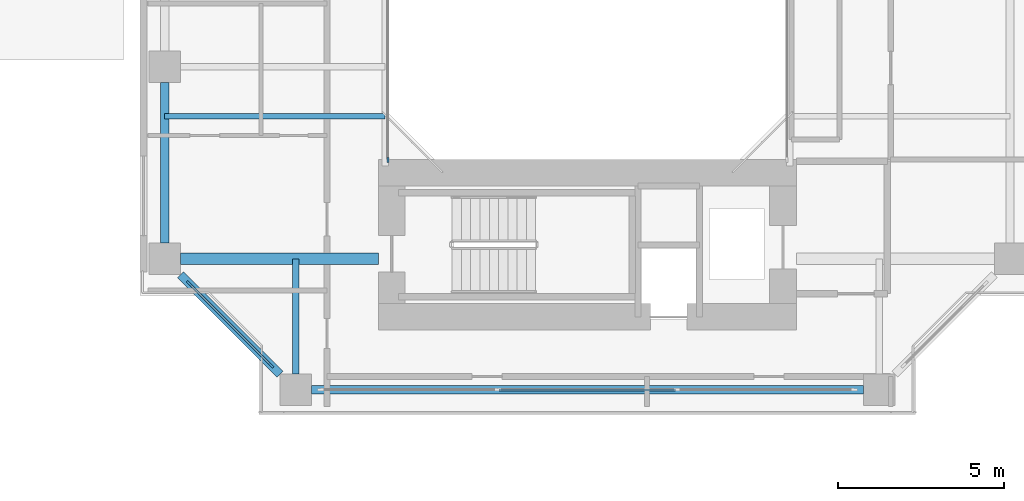
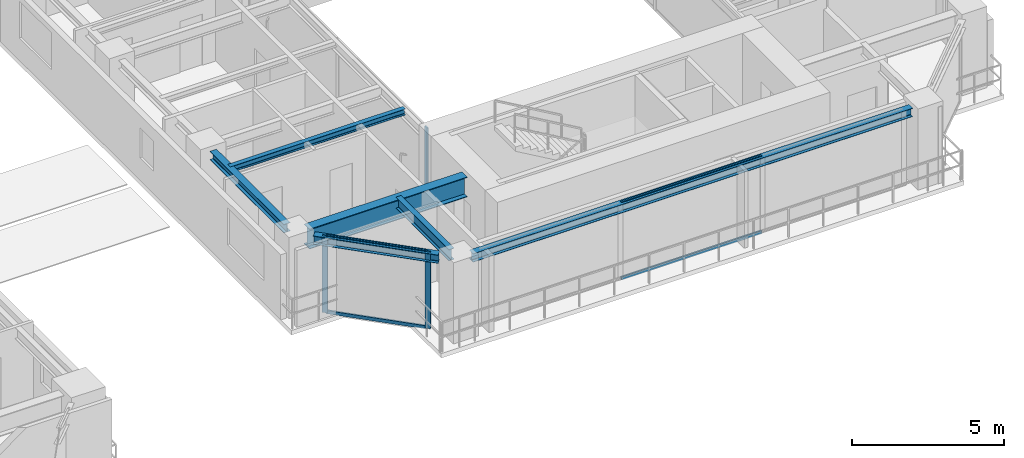
# One storey, part 6 of 23: 7 members, 6 beams, 3 elements without a shape of their own.
"""IFC4 building model written with IfcOpenShell, lengths in metres."""

import ifcopenshell
import ifcopenshell.guid

model = None  # the IFC model being written
_history = None  # IfcOwnerHistory: only IFC2X3 demands one
_inside = {}  # id of a spatial element -> (the spatial element, [elements in it])
_under = {}  # id of a project, library or spatial element -> (it, [spatial elements below it])
_declared = {}  # id of a project -> (the project, [libraries it declares])
_typed = {}  # id of a type object -> (the type object, [elements of that type])
_made_of = {}  # id of a material, layer set ... -> (it, [elements and type objects made of it])


def new_model(schema):
    """Start an empty IFC model of exactly this schema.

    Asked for "IFC4X3", IfcOpenShell would pick the latest addendum, in which some entities
    have other attributes; the version numbers below select the first issue.
    IFC2X3 requires an IfcOwnerHistory on every rooted entity: one is made here for all.
    """
    global model, _history
    if schema == "IFC4X3":
        model = ifcopenshell.file(schema_version=(4, 3, 0, 0))
    else:
        model = ifcopenshell.file(schema=schema)
    _inside.clear()
    _under.clear()
    _declared.clear()
    _typed.clear()
    _made_of.clear()
    _history = None
    if model.schema == "IFC2X3":
        org = make("IfcOrganization", Name="unknown")
        user = make(
            "IfcPersonAndOrganization",
            ThePerson=make("IfcPerson", FamilyName="unknown"),
            TheOrganization=org,
        )
        app = make(
            "IfcApplication",
            ApplicationDeveloper=org,
            Version="unknown",
            ApplicationFullName="unknown",
            ApplicationIdentifier="unknown",
        )
        _history = make(
            "IfcOwnerHistory",
            OwningUser=user,
            OwningApplication=app,
            ChangeAction="ADDED",
            CreationDate=0,
        )
    return model


def make(cls, **values):
    """One entity of the class cls with the attributes given. An attribute that is None is left unset."""
    return model.create_entity(
        cls, **{name: value for name, value in values.items() if value is not None}
    )


def rooted(cls, **values):
    """An entity with a GlobalId (a new one), such as an element, a storey or a relation."""
    return make(cls, GlobalId=ifcopenshell.guid.new(), OwnerHistory=_history, **values)


def si_unit(unit_type, name, prefix=None):
    """IfcSIUnit, for example si_unit("LENGTHUNIT", "METRE", prefix="MILLI")."""
    return make("IfcSIUnit", UnitType=unit_type, Prefix=prefix, Name=name)


def assignment(units):
    """IfcUnitAssignment: the units of a project."""
    return None if units is None else make("IfcUnitAssignment", Units=units)


def point(xyz):
    """IfcCartesianPoint."""
    return None if xyz is None else make("IfcCartesianPoint", Coordinates=xyz)


def direction(xyz):
    """IfcDirection."""
    return None if xyz is None else make("IfcDirection", DirectionRatios=xyz)


def frame(location, z_axis=None, x_axis=None):
    """IfcAxis2Placement3D, a coordinate frame: its origin and axes. An axis left out is left unset."""
    return make(
        "IfcAxis2Placement3D",
        Location=point(location),
        Axis=direction(z_axis),
        RefDirection=direction(x_axis),
    )


def frame_2d(location, x_axis=None):
    """IfcAxis2Placement2D, a coordinate frame in the plane: its origin and x axis."""
    return make(
        "IfcAxis2Placement2D", Location=point(location), RefDirection=direction(x_axis)
    )


def origin():
    """The frame at (0, 0, 0) with its axes left unset."""
    return frame((0.0, 0.0, 0.0))


def origin_2d():
    """The frame at (0, 0) in the plane with its x axis left unset."""
    return frame_2d((0.0, 0.0))


def place(relative_to, where):
    """IfcLocalPlacement: puts the frame where relative to a parent placement (None: the world)."""
    return make(
        "IfcLocalPlacement", PlacementRelTo=relative_to, RelativePlacement=where
    )


def context(
    kind, dimensions, precision=None, world=None, true_north=None, identifier=None
):
    """IfcGeometricRepresentationContext, for example the 3D "Model" context."""
    return make(
        "IfcGeometricRepresentationContext",
        ContextIdentifier=identifier,
        ContextType=kind,
        CoordinateSpaceDimension=dimensions,
        Precision=precision,
        WorldCoordinateSystem=world,
        TrueNorth=true_north,
    )


def subcontext(parent, identifier, kind, view, scale=None):
    """IfcGeometricRepresentationSubContext, for example "Body" below "Model"."""
    return make(
        "IfcGeometricRepresentationSubContext",
        ContextIdentifier=identifier,
        ContextType=kind,
        ParentContext=parent,
        TargetScale=scale,
        TargetView=view,
    )


def project(units=None, contexts=None):
    """IfcProject with its units and contexts."""
    return rooted(
        "IfcProject",
        Name="project",
        RepresentationContexts=contexts,
        UnitsInContext=assignment(units),
    )


def spatial(cls, under=None, at=None, **own):
    """A site, building, storey or space (cls), placed at a placement, below another one or the project."""
    s = rooted(cls, ObjectPlacement=at, **own)
    if under is not None:
        _under.setdefault(under.id(), (under, []))[1].append(s)
    return s


def profile(cls, at=None, kind="AREA", **sizes):
    """A parametric profile (cls). Its sizes go by their IFC names, for example OverallWidth=200.0."""
    return make(cls, ProfileType=kind, Position=at, **sizes)


def rectangle(**sizes):
    """IfcRectangleProfileDef."""
    return profile("IfcRectangleProfileDef", **sizes)


def i_section(**sizes):
    """IfcIShapeProfileDef."""
    return profile("IfcIShapeProfileDef", **sizes)


def extrude(swept, where, along, depth):
    """IfcExtrudedAreaSolid: the profile swept, set in the frame where, extruded along a direction by depth."""
    return make(
        "IfcExtrudedAreaSolid",
        SweptArea=swept,
        Position=where,
        ExtrudedDirection=direction(along),
        Depth=depth,
    )


def shape(context_of_items, identifier, shape_type, items):
    """IfcShapeRepresentation: the items that make up one representation, for example the "Body"."""
    return make(
        "IfcShapeRepresentation",
        ContextOfItems=context_of_items,
        RepresentationIdentifier=identifier,
        RepresentationType=shape_type,
        Items=items,
    )


def source(mapping_origin, context_of_items, identifier, shape_type, items):
    """IfcRepresentationMap: a shape defined once, which mapped items show again and again."""
    return make(
        "IfcRepresentationMap",
        MappingOrigin=mapping_origin,
        MappedRepresentation=shape(context_of_items, identifier, shape_type, items),
    )


def transform(
    local_origin,
    x_axis=None,
    y_axis=None,
    z_axis=None,
    scale=None,
    scale2=None,
    scale3=None,
    uniform=True,
):
    """IfcCartesianTransformationOperator3D, or its non-uniform kind. x_axis, y_axis, z_axis: its Axis1, 2, 3."""
    if uniform:
        return make(
            "IfcCartesianTransformationOperator3D",
            Axis1=direction(x_axis),
            Axis2=direction(y_axis),
            LocalOrigin=point(local_origin),
            Scale=scale,
            Axis3=direction(z_axis),
        )
    return make(
        "IfcCartesianTransformationOperator3DnonUniform",
        Axis1=direction(x_axis),
        Axis2=direction(y_axis),
        LocalOrigin=point(local_origin),
        Scale=scale,
        Axis3=direction(z_axis),
        Scale2=scale2,
        Scale3=scale3,
    )


def mapped(mapping_source, mapping_target):
    """IfcMappedItem: shows the shape of a source again, moved by a transform."""
    return make(
        "IfcMappedItem", MappingSource=mapping_source, MappingTarget=mapping_target
    )


def material(Name=None, Category=None):
    """IfcMaterial."""
    return make("IfcMaterial", Name=Name, Category=Category)


def layer(
    of_material, thickness, ventilated=None, Name=None, Category=None, Priority=None
):
    """IfcMaterialLayer: one layer of a wall or slab, of a material (None: an air gap)."""
    return make(
        "IfcMaterialLayer",
        Material=of_material,
        LayerThickness=thickness,
        IsVentilated=ventilated,
        Name=Name,
        Category=Category,
        Priority=Priority,
    )


def layer_set(layers, Name=None):
    """IfcMaterialLayerSet."""
    return make("IfcMaterialLayerSet", MaterialLayers=layers, LayerSetName=Name)


def material_profile(
    of_material, cross_section, Name=None, Category=None, Priority=None
):
    """IfcMaterialProfile: a cross section and its material."""
    return make(
        "IfcMaterialProfile",
        Name=Name,
        Material=of_material,
        Profile=cross_section,
        Priority=Priority,
        Category=Category,
    )


def profile_set(profiles, Name=None, composite=None):
    """IfcMaterialProfileSet."""
    return make(
        "IfcMaterialProfileSet",
        Name=Name,
        MaterialProfiles=profiles,
        CompositeProfile=composite,
    )


def made_of(thing, what):
    """Note that an element or type object is made of a material, layer set ...; save() writes the relation."""
    if what is not None:
        _made_of.setdefault(what.id(), (what, []))[1].append(thing)
    return thing


def type_object(cls, material=None, **own):
    """A type object (cls), such as IfcWallType, which elements share."""
    return made_of(rooted(cls, **own), material)


def element(
    cls,
    number,
    at=None,
    inside=None,
    cuts=None,
    type_object=None,
    material=None,
    context=None,
    identifier="Body",
    shape_type=None,
    held_by="IfcProductDefinitionShape",
    body=None,
    shapes=None,
    **own,
):
    """One element of the class cls, such as IfcWall. Its Tag is "e" and its number.

    at: its placement. inside: the storey or other place that contains it. cuts: it is an
    opening in that element (IfcRelVoidsElement). A single representation is given by context,
    identifier, shape_type and body (its items); several are given by shapes. held_by: the class
    of the entity that holds the representations. save() writes the other relations.
    """
    e = rooted(cls, Tag="e%d" % number, ObjectPlacement=at, **own)
    if body is not None:
        shapes = [shape(context, identifier, shape_type, body)]
    if shapes is not None:
        e.Representation = make(held_by, Representations=shapes)
    if inside is not None:
        _inside.setdefault(inside.id(), (inside, []))[1].append(e)
    if cuts is not None:
        rooted(
            "IfcRelVoidsElement", RelatingBuildingElement=cuts, RelatedOpeningElement=e
        )
    if type_object is not None:
        _typed.setdefault(type_object.id(), (type_object, []))[1].append(e)
    return made_of(e, material)


def aggregate(whole, parts):
    """IfcRelAggregates: a whole, such as a stair, and the parts it consists of."""
    return rooted("IfcRelAggregates", RelatingObject=whole, RelatedObjects=parts)


def save(model, path):
    """Write the relations noted so far, then the file.

    IfcRelAggregates (storeys below a building ...), IfcRelContainedInSpatialStructure (elements
    in a storey), IfcRelDefinesByType, IfcRelAssociatesMaterial and IfcRelDeclares: one each for
    every whole, place, type object, material and project.
    """
    for whole, parts in _under.values():
        aggregate(whole, parts)
    for where, things in _inside.values():
        rooted(
            "IfcRelContainedInSpatialStructure",
            RelatedElements=things,
            RelatingStructure=where,
        )
    for kind, things in _typed.values():
        rooted("IfcRelDefinesByType", RelatedObjects=things, RelatingType=kind)
    for what, things in _made_of.values():
        rooted("IfcRelAssociatesMaterial", RelatedObjects=things, RelatingMaterial=what)
    for by, libraries in _declared.values():
        rooted("IfcRelDeclares", RelatingContext=by, RelatedDefinitions=libraries)
    model.write(path)


model = new_model("IFC4")

# Units and contexts
model_context = context("Model", 3, precision=1e-05, world=origin(), true_north=direction((0.0, 1.0)))
body_context = subcontext(model_context, "Body", "Model", "MODEL_VIEW")
ifc_project = project(units=[si_unit("LENGTHUNIT", "METRE"), si_unit("AREAUNIT", "SQUARE_METRE"), si_unit("VOLUMEUNIT", "CUBIC_METRE"), si_unit("PLANEANGLEUNIT", "RADIAN"), si_unit("MASSUNIT", "GRAM", prefix="KILO"), si_unit("THERMODYNAMICTEMPERATUREUNIT", "KELVIN"), si_unit("POWERUNIT", "WATT")], contexts=[model_context])

# Site, building, storey
site_placement = place(None, origin())
site = spatial("IfcSite", under=ifc_project, at=site_placement, CompositionType="ELEMENT")
building_placement = place(site_placement, origin())
building = spatial("IfcBuilding", under=site, at=building_placement, Name="Qiaomeng Ring Towers", CompositionType="ELEMENT")
storey_placement = place(building_placement, frame((0.0, 0.0, 50.25)))
storey = spatial("IfcBuildingStorey", under=building, at=storey_placement, Name="L13", CompositionType="ELEMENT", Elevation=50.25)

# Beams
ifc_material_1 = material(Name="Steel Q355B", Category="steel")
ifc_material_profile_1 = material_profile(ifc_material_1, i_section(OverallWidth=0.25, OverallDepth=0.340087890625, WebThickness=0.009033203125, FlangeThickness=0.013916015625, FilletRadius=0.02001953125, at=origin_2d()), Name="HM 340x250x9x14")
ifc_profile_set_1 = profile_set([ifc_material_profile_1], Name="Steel Q355B")
beam_type_1 = type_object("IfcBeamType", Name="STR-BM-HM340", PredefinedType="SPANDREL", material=ifc_profile_set_1)
shared_shape_1 = source(origin(), body_context, "Body", "SweptSolid", [
    extrude(i_section(OverallWidth=0.25, OverallDepth=0.340087890625, WebThickness=0.009033203125, FlangeThickness=0.013916015625, FilletRadius=0.02001953125, at=origin_2d()), origin(), (0.0, 0.0, 1.0), 16.65185546875),
])
beam_1_placement = place(storey_placement, frame((52.174072265625, 10.25, 2.89990234375), z_axis=(1.0, 0.0, 0.0), x_axis=(0.0, 1.0, 0.0)))
element("IfcBeam", 1, at=beam_1_placement, inside=storey, type_object=beam_type_1, Name="L13 beam STR-SP-L13-T2-S1-S2", PredefinedType="SPANDREL", context=body_context, shape_type="MappedRepresentation", body=[
    mapped(shared_shape_1, transform((0.0, 0.0, 0.0), x_axis=(1.0, 0.0, 0.0), y_axis=(0.0, 1.0, 0.0), z_axis=(0.0, 0.0, 1.0), scale=1.0)),
])
shared_shape_2 = source(origin(), body_context, "Body", "SweptSolid", [
    extrude(i_section(OverallWidth=0.25, OverallDepth=0.340087890625, WebThickness=0.009033203125, FlangeThickness=0.013916015625, FilletRadius=0.02001953125, at=origin_2d()), origin(), (0.0, 0.0, 1.0), 4.244384765625),
])
beam_2_placement = place(storey_placement, frame((48.224365234375, 13.7255859375, 2.89990234375), z_axis=(0.707106781187, -0.707106781187, 0.0), x_axis=(0.707106781187, 0.707106781187, 0.0)))
element("IfcBeam", 2, at=beam_2_placement, inside=storey, type_object=beam_type_1, Name="L13 beam STR-SP-L13-T2-W1-S1", PredefinedType="SPANDREL", context=body_context, shape_type="MappedRepresentation", body=[
    mapped(shared_shape_2, transform((0.0, 0.0, 0.0), x_axis=(1.0, 0.0, 0.0), y_axis=(0.0, 1.0, 0.0), z_axis=(0.0, 0.0, 1.0), scale=1.0)),
])
shared_shape_3 = source(origin(), body_context, "Body", "SweptSolid", [
    extrude(i_section(OverallWidth=0.25, OverallDepth=0.340087890625, WebThickness=0.009033203125, FlangeThickness=0.013916015625, FilletRadius=0.02001953125, at=origin_2d()), origin(), (0.0, 0.0, 1.0), 4.851806640625),
])
beam_3_placement = place(storey_placement, frame((47.75, 19.52587890625, 2.89990234375), z_axis=(0.0, -1.0, 0.0), x_axis=(1.0, 0.0, 0.0)))
element("IfcBeam", 3, at=beam_3_placement, inside=storey, type_object=beam_type_1, Name="L13 beam STR-SP-L13-T2-W2-W1", PredefinedType="SPANDREL", context=body_context, shape_type="MappedRepresentation", body=[
    mapped(shared_shape_3, transform((0.0, 0.0, 0.0), x_axis=(1.0, 0.0, 0.0), y_axis=(0.0, 1.0, 0.0), z_axis=(0.0, 0.0, 1.0), scale=1.0)),
])
ifc_material_2 = material(Name="Steel Q390GJC", Category="steel")
ifc_material_profile_2 = material_profile(ifc_material_2, i_section(OverallWidth=0.35009765625, OverallDepth=0.800048828125, WebThickness=0.01611328125, FlangeThickness=0.028076171875, at=origin_2d()), Name="WH 800x350x16x28")
ifc_profile_set_2 = profile_set([ifc_material_profile_2], Name="Steel Q390GJC")
beam_type_2 = type_object("IfcBeamType", Name="STR-BM-WH800", PredefinedType="BEAM", material=ifc_profile_set_2)
shared_shape_4 = source(origin(), body_context, "Body", "SweptSolid", [
    extrude(i_section(OverallWidth=0.35009765625, OverallDepth=0.800048828125, WebThickness=0.01611328125, FlangeThickness=0.028076171875, at=origin_2d()), origin(), (0.0, 0.0, 1.0), 5.975830078125),
])
beam_4_placement = place(storey_placement, frame((48.22412109375, 14.199951171875, 2.669921875), z_axis=(1.0, 0.0, 0.0), x_axis=(0.0, 1.0, 0.0)))
element("IfcBeam", 4, at=beam_4_placement, inside=storey, type_object=beam_type_2, Name="L13 beam STR-BM-L13-T2-RAD-W1", PredefinedType="BEAM", context=body_context, shape_type="MappedRepresentation", body=[
    mapped(shared_shape_4, transform((0.0, 0.0, 0.0), x_axis=(1.0, 0.0, 0.0), y_axis=(0.0, 1.0, 0.0), z_axis=(0.0, 0.0, 1.0), scale=1.0)),
])
ifc_material_profile_3 = material_profile(ifc_material_1, i_section(OverallWidth=0.199951171875, OverallDepth=0.449951171875, WebThickness=0.009033203125, FlangeThickness=0.013916015625, FilletRadius=0.01806640625, at=origin_2d()), Name="HN 450x200x9x14")
ifc_profile_set_3 = profile_set([ifc_material_profile_3], Name="Steel Q355B")
beam_type_3 = type_object("IfcBeamType", Name="STR-BM-HN450", PredefinedType="SPANDREL", material=ifc_profile_set_3)
shared_shape_5 = source(origin(), body_context, "Body", "SweptSolid", [
    extrude(i_section(OverallWidth=0.199951171875, OverallDepth=0.449951171875, WebThickness=0.009033203125, FlangeThickness=0.013916015625, FilletRadius=0.01806640625, at=origin_2d()), origin(), (0.0, 0.0, 1.0), 3.475830078125),
])
beam_5_placement = place(storey_placement, frame((51.699951171875, 10.72412109375, 2.844970703125), z_axis=(0.0, 1.0, 0.0), x_axis=(-1.0, 0.0, 0.0)))
element("IfcBeam", 5, at=beam_5_placement, inside=storey, type_object=beam_type_3, Name="L13 beam STR-BM-L13-T2-RAD-S1", PredefinedType="SPANDREL", context=body_context, shape_type="MappedRepresentation", body=[
    mapped(shared_shape_5, transform((0.0, 0.0, 0.0), x_axis=(1.0, 0.0, 0.0), y_axis=(0.0, 1.0, 0.0), z_axis=(0.0, 0.0, 1.0), scale=1.0)),
])
ifc_material_profile_4 = material_profile(ifc_material_1, i_section(OverallWidth=0.175048828125, OverallDepth=0.243896484375, WebThickness=0.007080078125, FlangeThickness=0.010986328125, FilletRadius=0.01611328125, at=origin_2d()), Name="HM 244x175x7x11")
ifc_profile_set_4 = profile_set([ifc_material_profile_4], Name="Steel Q355B")
beam_type_4 = type_object("IfcBeamType", Name="STR-BM-HM244", PredefinedType="JOIST", material=ifc_profile_set_4)
shared_shape_6 = source(origin(), body_context, "Body", "SweptSolid", [
    extrude(i_section(OverallWidth=0.175048828125, OverallDepth=0.243896484375, WebThickness=0.007080078125, FlangeThickness=0.010986328125, FilletRadius=0.01611328125, at=origin_2d()), origin(), (0.0, 0.0, 1.0), 6.64990234375),
])
beam_6_placement = place(storey_placement, frame((47.75, 18.5, 2.947998046875), z_axis=(1.0, 0.0, 0.0), x_axis=(0.0, 1.0, 0.0)))
element("IfcBeam", 6, at=beam_6_placement, inside=storey, type_object=beam_type_4, Name="L13 beam STR-JST-L13-T2W-1", PredefinedType="JOIST", context=body_context, shape_type="MappedRepresentation", body=[
    mapped(shared_shape_6, transform((0.0, 0.0, 0.0), x_axis=(1.0, 0.0, 0.0), y_axis=(0.0, 1.0, 0.0), z_axis=(0.0, 0.0, 1.0), scale=1.0)),
])

# Curtain wall, member
ifc_material_3 = material(Name="Fluorocarbon dark-grey aluminium", Category="aluminium")
ifc_layer_1 = layer(ifc_material_3, 0.139892578125, Name="Fluorocarbon dark-grey aluminium")
ifc_layer_set_1 = layer_set([ifc_layer_1], Name="Fluorocarbon dark-grey aluminium")
curtain_wall_type_1 = type_object("IfcCurtainWallType", Name="ARC-CW-4", PredefinedType="NOTDEFINED", material=ifc_layer_set_1)
curtain_wall_1_placement = place(storey_placement, origin())
curtain_wall_1 = element("IfcCurtainWall", 7, at=curtain_wall_1_placement, inside=storey, type_object=curtain_wall_type_1, Name="L13 Curtain Wall CW4", PredefinedType="NOTDEFINED")
ifc_material_profile_5 = material_profile(ifc_material_3, rectangle(XDim=0.06494140625, YDim=0.159912109375, at=origin_2d()), Name="ALU MULL 65x160")
ifc_profile_set_5 = profile_set([ifc_material_profile_5], Name="Fluorocarbon dark-grey aluminium")
member_type_1 = type_object("IfcMemberType", Name="ARC-CWM-140", PredefinedType="MULLION", material=ifc_profile_set_5)
shared_shape_7 = source(origin(), body_context, "Body", "SweptSolid", [
    extrude(rectangle(XDim=0.06494140625, YDim=0.159912109375, at=origin_2d()), origin(), (0.0, 0.0, 1.0), 3.070068359375),
])
member_1_placement = place(storey_placement, frame((54.47998046875, 17.1826171875, 0.0), z_axis=(0.0, 0.0, 1.0), x_axis=(-1.0, 0.0, 0.0)))
member_1 = element("IfcMember", 8, at=member_1_placement, type_object=member_type_1, Name="CW4 mullion 1", PredefinedType="MULLION", context=body_context, shape_type="MappedRepresentation", body=[
    mapped(shared_shape_7, transform((0.0, 0.0, 0.0), x_axis=(1.0, 0.0, 0.0), y_axis=(0.0, 1.0, 0.0), z_axis=(0.0, 0.0, 1.0), scale=1.0)),
])
aggregate(curtain_wall_1, [member_1])

# Curtain wall, members
ifc_layer_2 = layer(ifc_material_3, 0.14990234375, Name="Fluorocarbon dark-grey aluminium")
ifc_layer_set_2 = layer_set([ifc_layer_2], Name="Fluorocarbon dark-grey aluminium")
curtain_wall_type_2 = type_object("IfcCurtainWallType", Name="ARC-CW-5", PredefinedType="NOTDEFINED", material=ifc_layer_set_2)
curtain_wall_2_placement = place(storey_placement, origin())
curtain_wall_2 = element("IfcCurtainWall", 9, at=curtain_wall_2_placement, inside=storey, type_object=curtain_wall_type_2, Name="L13 Curtain Wall CW5", PredefinedType="NOTDEFINED")
ifc_material_profile_6 = material_profile(ifc_material_3, rectangle(XDim=0.070068359375, YDim=0.179931640625, at=origin_2d()), Name="ALU MULL 70x180")
ifc_profile_set_6 = profile_set([ifc_material_profile_6], Name="Fluorocarbon dark-grey aluminium")
member_type_2 = type_object("IfcMemberType", Name="ARC-CWM-160", PredefinedType="MULLION", material=ifc_profile_set_6)
shared_shape_8 = source(origin(), body_context, "Body", "SweptSolid", [
    extrude(rectangle(XDim=0.070068359375, YDim=0.179931640625, at=origin_2d()), origin(), (0.0, 0.0, 1.0), 3.070068359375),
])
member_2_placement = place(storey_placement, frame((48.48974609375, 13.460205078125, 0.0), z_axis=(0.0, 0.0, 1.0), x_axis=(0.707106781187, 0.707106781187, 0.0)))
member_2 = element("IfcMember", 10, at=member_2_placement, type_object=member_type_2, Name="CW5 mullion 1", PredefinedType="MULLION", context=body_context, shape_type="MappedRepresentation", body=[
    mapped(shared_shape_8, transform((0.0, 0.0, 0.0), x_axis=(1.0, 0.0, 0.0), y_axis=(0.0, 1.0, 0.0), z_axis=(0.0, 0.0, 1.0), scale=1.0)),
])
member_3_placement = place(storey_placement, frame((50.960205078125, 10.98974609375, 0.0), z_axis=(0.0, 0.0, 1.0), x_axis=(0.707106781187, 0.707106781187, 0.0)))
member_3 = element("IfcMember", 11, at=member_3_placement, type_object=member_type_2, Name="CW5 mullion 2", PredefinedType="MULLION", context=body_context, shape_type="MappedRepresentation", body=[
    mapped(shared_shape_8, transform((0.0, 0.0, 0.0), x_axis=(1.0, 0.0, 0.0), y_axis=(0.0, 1.0, 0.0), z_axis=(0.0, 0.0, 1.0), scale=1.0)),
])

curtain_wall_3_placement = place(storey_placement, origin())
curtain_wall_3 = element("IfcCurtainWall", 12, at=curtain_wall_3_placement, inside=storey, type_object=curtain_wall_type_2, Name="L13 Curtain Wall CW5", PredefinedType="NOTDEFINED")
ifc_material_profile_7 = material_profile(ifc_material_3, rectangle(XDim=0.06494140625, YDim=0.1298828125, at=origin_2d()), Name="ALU TRAN 65x130")
ifc_profile_set_7 = profile_set([ifc_material_profile_7], Name="Fluorocarbon dark-grey aluminium")
member_type_3 = type_object("IfcMemberType", Name="ARC-CWT-120", PredefinedType="USERDEFINED", material=ifc_profile_set_7)
shared_shape_9 = source(origin(), body_context, "Body", "SweptSolid", [
    extrude(rectangle(XDim=0.06494140625, YDim=0.1298828125, at=origin_2d()), origin(), (0.0, 0.0, 1.0), 5.31982421875),
])
member_4_placement = place(storey_placement, frame((57.840087890625, 10.25, 0.032470703125), z_axis=(1.0, 0.0, 0.0), x_axis=(0.0, 1.0, 0.0)))
member_4 = element("IfcMember", 13, at=member_4_placement, type_object=member_type_3, Name="CW5 transom 2.1", ObjectType="TRANSOM", PredefinedType="USERDEFINED", context=body_context, shape_type="MappedRepresentation", body=[
    mapped(shared_shape_9, transform((0.0, 0.0, 0.0), x_axis=(1.0, 0.0, 0.0), y_axis=(0.0, 1.0, 0.0), z_axis=(0.0, 0.0, 1.0), scale=1.0)),
])
member_5_placement = place(storey_placement, frame((57.840087890625, 10.25, 3.03759765625), z_axis=(1.0, 0.0, 0.0), x_axis=(0.0, 1.0, 0.0)))
member_5 = element("IfcMember", 14, at=member_5_placement, type_object=member_type_3, Name="CW5 transom 2.2", ObjectType="TRANSOM", PredefinedType="USERDEFINED", context=body_context, shape_type="MappedRepresentation", body=[
    mapped(shared_shape_9, transform((0.0, 0.0, 0.0), x_axis=(1.0, 0.0, 0.0), y_axis=(0.0, 1.0, 0.0), z_axis=(0.0, 0.0, 1.0), scale=1.0)),
])
aggregate(curtain_wall_3, [member_4, member_5])

# Member
shared_shape_10 = source(origin(), body_context, "Body", "SweptSolid", [
    extrude(rectangle(XDim=0.06494140625, YDim=0.1298828125, at=origin_2d()), origin(), (0.0, 0.0, 1.0), 3.424072265625),
])
member_6_placement = place(storey_placement, frame((48.514404296875, 13.435546875, 0.032470703125), z_axis=(0.707106781187, -0.707106781187, 0.0), x_axis=(0.707106781187, 0.707106781187, 0.0)))
member_6 = element("IfcMember", 15, at=member_6_placement, type_object=member_type_3, Name="CW5 transom 1.1", ObjectType="TRANSOM", PredefinedType="USERDEFINED", context=body_context, shape_type="MappedRepresentation", body=[
    mapped(shared_shape_10, transform((0.0, 0.0, 0.0), x_axis=(1.0, 0.0, 0.0), y_axis=(0.0, 1.0, 0.0), z_axis=(0.0, 0.0, 1.0), scale=1.0)),
])

member_7_placement = place(storey_placement, frame((48.514404296875, 13.435546875, 3.03759765625), z_axis=(0.707106781187, -0.707106781187, 0.0), x_axis=(0.707106781187, 0.707106781187, 0.0)))
member_7 = element("IfcMember", 16, at=member_7_placement, type_object=member_type_3, Name="CW5 transom 1.2", ObjectType="TRANSOM", PredefinedType="USERDEFINED", context=body_context, shape_type="MappedRepresentation", body=[
    mapped(shared_shape_10, transform((0.0, 0.0, 0.0), x_axis=(1.0, 0.0, 0.0), y_axis=(0.0, 1.0, 0.0), z_axis=(0.0, 0.0, 1.0), scale=1.0)),
])

aggregate(curtain_wall_2, [member_2, member_3, member_6, member_7])

save(model, "model.ifc")
